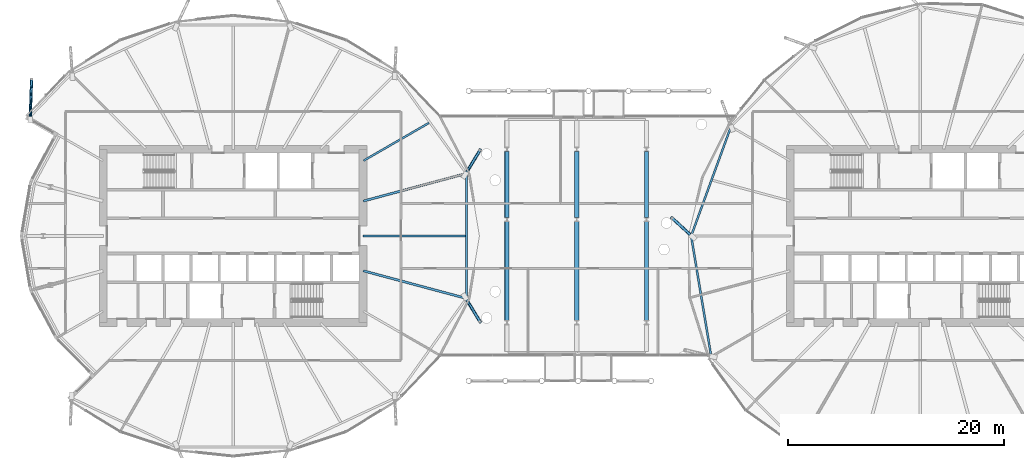
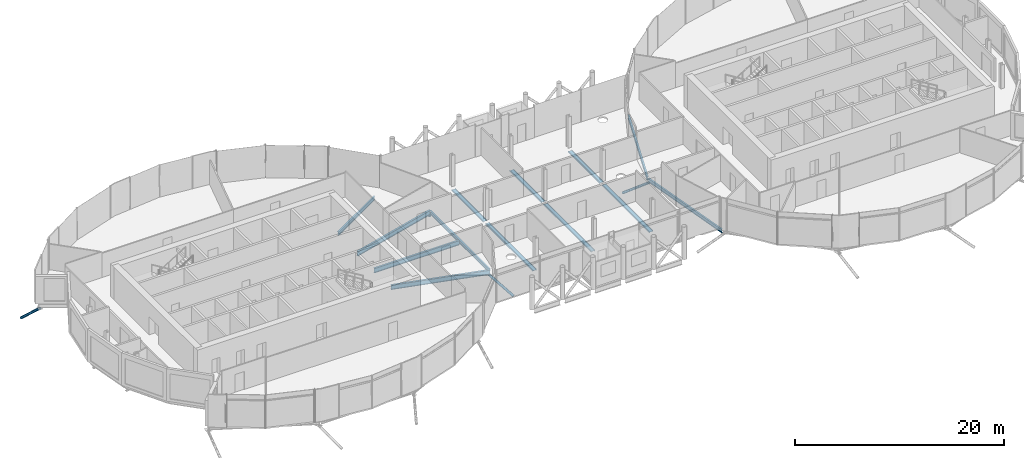
# One storey, part 8 of 39: 13 beams, 4 members.
"""IFC4 building model written with IfcOpenShell, lengths in metres."""

from ifc_helpers import new_model, si_unit, direction, frame, origin, origin_2d, place, context, subcontext, project, spatial, hollow_circle, i_section, extrude, clip, halfspace, material, material_profile, profile_set, type_object, element, save


model = new_model("IFC4")

# Units and contexts
model_context = context("Model", 3, precision=1e-05, world=origin(), true_north=direction((0.0, 1.0)))
body_context = subcontext(model_context, "Body", "Model", "MODEL_VIEW")
ifc_project = project(units=[si_unit("LENGTHUNIT", "METRE"), si_unit("AREAUNIT", "SQUARE_METRE"), si_unit("VOLUMEUNIT", "CUBIC_METRE"), si_unit("PLANEANGLEUNIT", "RADIAN"), si_unit("MASSUNIT", "GRAM", prefix="KILO")], contexts=[model_context])

# Site, building, storey
site_placement = place(None, origin())
site = spatial("IfcSite", under=ifc_project, at=site_placement, CompositionType="ELEMENT")
building_placement = place(site_placement, origin())
building = spatial("IfcBuilding", under=site, at=building_placement, Name="Rimbun Link Towers", CompositionType="ELEMENT")
storey_placement = place(building_placement, frame((0.0, 0.0, 143.0)))
storey = spatial("IfcBuildingStorey", under=building, at=storey_placement, Name="L34", CompositionType="ELEMENT", Elevation=143.0)

# Members
ifc_material_1 = material(Name="Steel S355J2H", Category="steel")
ifc_material_profile_1 = material_profile(ifc_material_1, hollow_circle(Radius=0.136474609375, WallThickness=0.012451171875, at=origin_2d()), Name="CHS 273x12.5")
ifc_profile_set_1 = profile_set([ifc_material_profile_1], Name="Steel S355J2H")
member_type = type_object("IfcMemberType", Name="Floor edge link CHS 273x12.5", PredefinedType="BRACE", material=ifc_profile_set_1)
member_1_placement = place(storey_placement, frame((-10.252197265625, 5.76025390625, -0.830078125), z_axis=(0.445287105171, 0.732294519757, -0.515232113035), x_axis=(-0.85443549144, 0.519557495343, 0.0)))
element("IfcMember", 1, at=member_1_placement, inside=storey, type_object=member_type, Name="Floor edge link T1 L34 01", PredefinedType="BRACE", context=body_context, shape_type="Clipping", body=[
    clip(extrude(hollow_circle(Radius=0.136474609375, WallThickness=0.012451171875, at=origin_2d()), frame((0.0, 0.0, -0.473388671875)), (0.0, 0.0, 1.0), 3.513671875), halfspace(frame((0.0, 0.0, -0.22314453125), z_axis=(0.0, 0.857050680939, -0.515232113035)), False)),
])
member_2_placement = place(storey_placement, frame((-50.51025390625, 10.831298828125, -0.68798828125), z_axis=(0.025771260374, 0.737732891851, -0.674600639208), x_axis=(-0.999390398865, 0.034911755283, 0.0)))
element("IfcMember", 2, at=member_2_placement, inside=storey, type_object=member_type, Name="Floor edge link T1 L34 10", PredefinedType="BRACE", context=body_context, shape_type="Clipping", body=[
    clip(extrude(hollow_circle(Radius=0.136474609375, WallThickness=0.012451171875, at=origin_2d()), frame((0.0, 0.0, -0.3134765625)), (0.0, 0.0, 1.0), 5.305908203125), halfspace(frame((0.0, 0.0, -0.147705078125), z_axis=(0.0, 0.738182888978, -0.674600639208)), False)),
])
member_3_placement = place(storey_placement, frame((-10.252197265625, -5.76025390625, -0.830078125), z_axis=(0.445287105171, -0.732294519757, -0.515232113035), x_axis=(0.85443549144, 0.519557495343, 0.0)))
element("IfcMember", 3, at=member_3_placement, inside=storey, type_object=member_type, Name="Floor edge link T1 L34 23", PredefinedType="BRACE", context=body_context, shape_type="Clipping", body=[
    clip(extrude(hollow_circle(Radius=0.136474609375, WallThickness=0.012451171875, at=origin_2d()), frame((0.0, 0.0, -0.473388671875)), (0.0, 0.0, 1.0), 3.513671875), halfspace(frame((0.0, 0.0, -0.22314453125), z_axis=(0.0, 0.857050680939, -0.515232113035)), False)),
])
member_4_placement = place(storey_placement, frame((10.625732421875, 0.0, -0.8291015625), z_axis=(-0.627716618263, 0.573879459043, -0.52596027763), x_axis=(-0.674748143629, -0.738048062574, 0.0)))
element("IfcMember", 4, at=member_4_placement, inside=storey, type_object=member_type, Name="Floor edge link T2 L34 09", PredefinedType="BRACE", context=body_context, shape_type="Clipping", body=[
    clip(extrude(hollow_circle(Radius=0.136474609375, WallThickness=0.012451171875, at=origin_2d()), frame((0.0, 0.0, -0.46044921875)), (0.0, 0.0, 1.0), 3.430908203125), halfspace(frame((0.0, 0.0, -0.216796875), z_axis=(0.0, 0.85050913361, -0.52596027763)), False)),
])

# Beams
ifc_material_2 = material(Name="Steel S355J2", Category="steel")
ifc_material_profile_2 = material_profile(ifc_material_2, i_section(OverallWidth=0.177978515625, OverallDepth=0.406494140625, WebThickness=0.0078125, FlangeThickness=0.0126953125, at=origin_2d()), Name="UKB 406x178x60")
ifc_profile_set_2 = profile_set([ifc_material_profile_2], Name="Steel S355J2")
beam_type_1 = type_object("IfcBeamType", Name="Link floor beam UKB 406x178x60", PredefinedType="BEAM", material=ifc_profile_set_2)
beam_1_placement = place(storey_placement, frame((-6.449951171875, -7.8125, -0.36328125), z_axis=(0.0, 1.0, 0.0), x_axis=(0.0, 0.0, 1.0)))
element("IfcBeam", 5, at=beam_1_placement, inside=storey, type_object=beam_type_1, Name="Link floor beam L34 01", PredefinedType="BEAM", context=body_context, shape_type="SweptSolid", body=[
    extrude(i_section(OverallWidth=0.177978515625, OverallDepth=0.406494140625, WebThickness=0.0078125, FlangeThickness=0.0126953125, at=origin_2d()), origin(), (0.0, 0.0, 1.0), 9.125244140625),
])
beam_2_placement = place(storey_placement, frame((-6.449951171875, 1.687255859375, -0.36328125), z_axis=(0.0, 1.0, 0.0), x_axis=(0.0, 0.0, 1.0)))
element("IfcBeam", 6, at=beam_2_placement, inside=storey, type_object=beam_type_1, Name="Link floor beam L34 02", PredefinedType="BEAM", context=body_context, shape_type="SweptSolid", body=[
    extrude(i_section(OverallWidth=0.177978515625, OverallDepth=0.406494140625, WebThickness=0.0078125, FlangeThickness=0.0126953125, at=origin_2d()), origin(), (0.0, 0.0, 1.0), 6.125244140625),
])
beam_3_placement = place(storey_placement, frame((0.0, -7.8125, -0.36328125), z_axis=(0.0, 1.0, 0.0), x_axis=(0.0, 0.0, 1.0)))
element("IfcBeam", 7, at=beam_3_placement, inside=storey, type_object=beam_type_1, Name="Link floor beam L34 05", PredefinedType="BEAM", context=body_context, shape_type="SweptSolid", body=[
    extrude(i_section(OverallWidth=0.177978515625, OverallDepth=0.406494140625, WebThickness=0.0078125, FlangeThickness=0.0126953125, at=origin_2d()), origin(), (0.0, 0.0, 1.0), 9.125244140625),
])
beam_4_placement = place(storey_placement, frame((0.0, 1.687255859375, -0.36328125), z_axis=(0.0, 1.0, 0.0), x_axis=(0.0, 0.0, 1.0)))
element("IfcBeam", 8, at=beam_4_placement, inside=storey, type_object=beam_type_1, Name="Link floor beam L34 06", PredefinedType="BEAM", context=body_context, shape_type="SweptSolid", body=[
    extrude(i_section(OverallWidth=0.177978515625, OverallDepth=0.406494140625, WebThickness=0.0078125, FlangeThickness=0.0126953125, at=origin_2d()), origin(), (0.0, 0.0, 1.0), 6.125244140625),
])
beam_5_placement = place(storey_placement, frame((6.449951171875, -7.8125, -0.36328125), z_axis=(0.0, 1.0, 0.0), x_axis=(0.0, 0.0, 1.0)))
element("IfcBeam", 9, at=beam_5_placement, inside=storey, type_object=beam_type_1, Name="Link floor beam L34 09", PredefinedType="BEAM", context=body_context, shape_type="SweptSolid", body=[
    extrude(i_section(OverallWidth=0.177978515625, OverallDepth=0.406494140625, WebThickness=0.0078125, FlangeThickness=0.0126953125, at=origin_2d()), origin(), (0.0, 0.0, 1.0), 9.125244140625),
])
beam_6_placement = place(storey_placement, frame((6.449951171875, 1.687255859375, -0.36328125), z_axis=(0.0, 1.0, 0.0), x_axis=(0.0, 0.0, 1.0)))
element("IfcBeam", 10, at=beam_6_placement, inside=storey, type_object=beam_type_1, Name="Link floor beam L34 10", PredefinedType="BEAM", context=body_context, shape_type="SweptSolid", body=[
    extrude(i_section(OverallWidth=0.177978515625, OverallDepth=0.406494140625, WebThickness=0.0078125, FlangeThickness=0.0126953125, at=origin_2d()), origin(), (0.0, 0.0, 1.0), 6.125244140625),
])
ifc_material_3 = material(Name="Steel S355J2", Category="steel")
ifc_material_profile_3 = material_profile(ifc_material_3, i_section(OverallWidth=0.177978515625, OverallDepth=0.406494140625, WebThickness=0.0078125, FlangeThickness=0.0126953125, at=origin_2d()), Name="UB 406x178x60")
ifc_profile_set_3 = profile_set([ifc_material_profile_3], Name="Steel S355J2")
beam_type_2 = type_object("IfcBeamType", Name="UB 406x178x60", PredefinedType="BEAM", material=ifc_profile_set_3)
beam_7_placement = place(storey_placement, frame((-19.70458984375, 6.954345703125, -0.38330078125), z_axis=(0.866015068498, 0.500017900814, 0.0), x_axis=(-0.500017900814, 0.866015068498, 0.0)))
element("IfcBeam", 11, at=beam_7_placement, inside=storey, type_object=beam_type_2, Name="Radial beam T1 L34 02", PredefinedType="BEAM", context=body_context, shape_type="SweptSolid", body=[
    extrude(i_section(OverallWidth=0.177978515625, OverallDepth=0.406494140625, WebThickness=0.0078125, FlangeThickness=0.0126953125, at=origin_2d()), origin(), (0.0, 0.0, 1.0), 6.986083984375),
])
beam_8_placement = place(storey_placement, frame((-10.2041015625, -5.663818359375, -0.38330078125), z_axis=(0.0, 1.0, 0.0), x_axis=(-1.0, 0.0, 0.0)))
element("IfcBeam", 12, at=beam_8_placement, inside=storey, type_object=beam_type_2, Name="Edge beam T1 L34 23-01", PredefinedType="BEAM", context=body_context, shape_type="SweptSolid", body=[
    extrude(i_section(OverallWidth=0.177978515625, OverallDepth=0.406494140625, WebThickness=0.0078125, FlangeThickness=0.0126953125, at=origin_2d()), origin(), (0.0, 0.0, 1.0), 11.32763671875),
])
beam_9_placement = place(storey_placement, frame((14.224609375, 10.018310546875, -0.38330078125), z_axis=(-0.342226131453, -0.939617621669, 0.0), x_axis=(0.939617621669, -0.342226131453, 0.0)))
element("IfcBeam", 13, at=beam_9_placement, inside=storey, type_object=beam_type_2, Name="Edge beam T2 L34 07-09", PredefinedType="BEAM", context=body_context, shape_type="SweptSolid", body=[
    extrude(i_section(OverallWidth=0.177978515625, OverallDepth=0.406494140625, WebThickness=0.0078125, FlangeThickness=0.0126953125, at=origin_2d()), origin(), (0.0, 0.0, 1.0), 10.549560546875),
])
beam_10_placement = place(storey_placement, frame((10.593505859375, -0.105712890625, -0.38330078125), z_axis=(0.164192057135, -0.986428389886, 0.0), x_axis=(0.986428389886, 0.164192057135, 0.0)))
element("IfcBeam", 14, at=beam_10_placement, inside=storey, type_object=beam_type_2, Name="Edge beam T2 L34 09-11", PredefinedType="BEAM", context=body_context, shape_type="SweptSolid", body=[
    extrude(i_section(OverallWidth=0.177978515625, OverallDepth=0.406494140625, WebThickness=0.0078125, FlangeThickness=0.0126953125, at=origin_2d()), origin(), (0.0, 0.0, 1.0), 11.096923828125),
])
ifc_material_4 = material(Name="Steel S355J2", Category="steel")
ifc_material_profile_4 = material_profile(ifc_material_4, i_section(OverallWidth=0.209228515625, OverallDepth=0.533203125, WebThickness=0.010009765625, FlangeThickness=0.015625, at=origin_2d()), Name="UB 533x210x92")
ifc_profile_set_4 = profile_set([ifc_material_profile_4], Name="Steel S355J2")
beam_type_3 = type_object("IfcBeamType", Name="UB 533x210x92", PredefinedType="BEAM", material=ifc_profile_set_4)
beam_11_placement = place(storey_placement, frame((-19.7490234375, 0.0, -0.446533203125), z_axis=(1.0, 0.0, 0.0), x_axis=(0.0, 1.0, 0.0)))
element("IfcBeam", 15, at=beam_11_placement, inside=storey, type_object=beam_type_3, Name="Radial beam T1 L34 00", PredefinedType="BEAM", context=body_context, shape_type="SweptSolid", body=[
    extrude(i_section(OverallWidth=0.209228515625, OverallDepth=0.533203125, WebThickness=0.010009765625, FlangeThickness=0.015625, at=origin_2d()), origin(), (0.0, 0.0, 1.0), 9.455078125),
])
for number, where, z_axis, x_axis, name in (
    (16, (-19.721923828125, 3.222900390625, -0.446533203125), (0.965925821748, 0.258819062049, 0.0), (-0.258819062049, 0.965925821748, 0.0), "Radial beam T1 L34 01"),
    (17, (-19.721923828125, -3.222900390625, -0.446533203125), (0.965925821748, -0.258819062049, 0.0), (0.258819062049, 0.965925821748, 0.0), "Radial beam T1 L34 23"),
):
    element("IfcBeam", number, at=place(storey_placement, frame(where, z_axis=z_axis, x_axis=x_axis)), inside=storey, type_object=beam_type_3, Name=name, PredefinedType="BEAM", context=body_context, shape_type="SweptSolid", body=[
        extrude(i_section(OverallWidth=0.209228515625, OverallDepth=0.533203125, WebThickness=0.010009765625, FlangeThickness=0.015625, at=origin_2d()), origin(), (0.0, 0.0, 1.0), 9.853515625),
    ])

save(model, "model.ifc")
